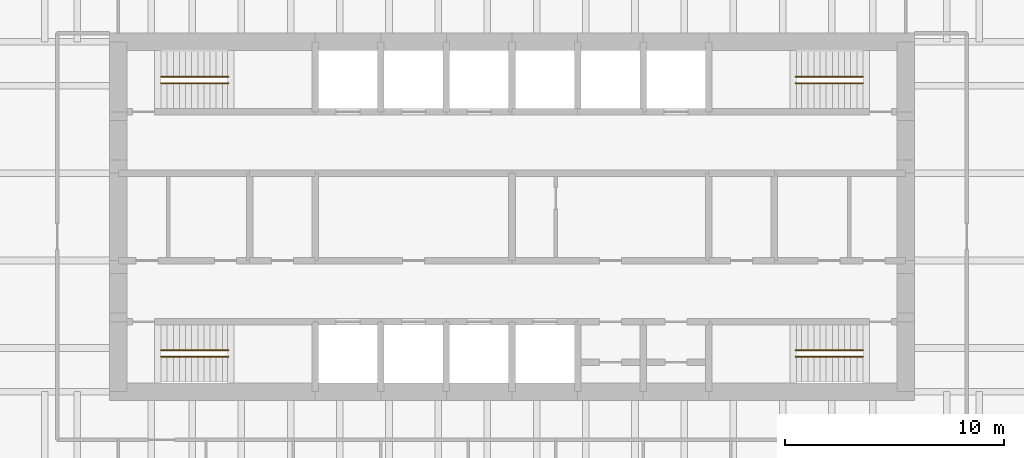
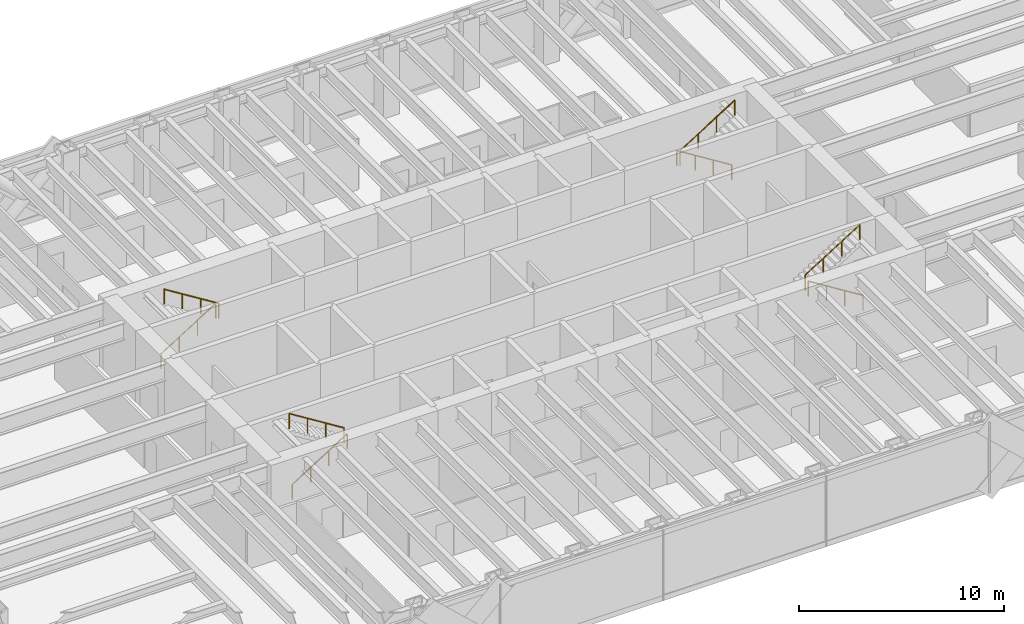
# One storey, part 15 of 15: 8 railings.
"""IFC4 building model written with IfcOpenShell, lengths in metres."""

from ifc_helpers import new_model, si_unit, direction, frame, origin, origin_2d, place, context, subcontext, project, spatial, circle, extrude, material, type_object, element, save


model = new_model("IFC4")

# Units and contexts
model_context = context("Model", 3, precision=1e-05, world=origin(), true_north=direction((0.0, 1.0)))
body_context = subcontext(model_context, "Body", "Model", "MODEL_VIEW")
ifc_project = project(units=[si_unit("LENGTHUNIT", "METRE"), si_unit("AREAUNIT", "SQUARE_METRE"), si_unit("VOLUMEUNIT", "CUBIC_METRE"), si_unit("PLANEANGLEUNIT", "RADIAN"), si_unit("MASSUNIT", "GRAM", prefix="KILO")], contexts=[model_context])

# Site, building, storey
site_placement = place(None, origin())
site = spatial("IfcSite", under=ifc_project, at=site_placement, CompositionType="ELEMENT")
building_placement = place(site_placement, origin())
building = spatial("IfcBuilding", under=site, at=building_placement, Name="Rheinbord Bourse Tower", CompositionType="ELEMENT")
storey_placement = place(building_placement, frame((0.0, 0.0, 257.199951171875)))
storey = spatial("IfcBuildingStorey", under=building, at=storey_placement, Name="L58", CompositionType="ELEMENT", Elevation=257.199951171875)

# Railings
ifc_material = material(Name="Steel handrail", Category="steel")
railing_type = type_object("IfcRailingType", Name="HANDRAIL 900", PredefinedType="HANDRAIL", material=ifc_material)
railing_1_placement = place(storey_placement, frame((19.949951171875, 17.60009765625, 0.175048828125)))
element("IfcRailing", 1, at=railing_1_placement, inside=storey, type_object=railing_type, Name="Handrail", PredefinedType="HANDRAIL", context=body_context, shape_type="SweptSolid", body=[
    extrude(circle(Radius=0.02392578125, at=origin_2d()), frame((0.0, 0.0, 0.8759765625), z_axis=(0.847998304005, 0.0, 0.529998940003), x_axis=(0.0, 1.0, 0.0)), (0.0, 0.0, 1.0), 3.632080078125),
    extrude(circle(Radius=0.02099609375, at=origin_2d()), origin(), (0.0, 0.0, 1.0), 0.851806640625),
    extrude(circle(Radius=0.02099609375, at=origin_2d()), frame((1.026611328125, 0.0, 0.6416015625)), (0.0, 0.0, 1.0), 0.851806640625),
    extrude(circle(Radius=0.02099609375, at=origin_2d()), frame((2.053466796875, 0.0, 1.283447265625)), (0.0, 0.0, 1.0), 0.851806640625),
    extrude(circle(Radius=0.02099609375, at=origin_2d()), frame((3.080078125, 0.0, 1.925048828125)), (0.0, 0.0, 1.0), 0.851806640625),
])
railing_2_placement = place(storey_placement, frame((23.030029296875, 17.89990234375, 2.275146484375)))
element("IfcRailing", 2, at=railing_2_placement, inside=storey, type_object=railing_type, Name="Handrail", PredefinedType="HANDRAIL", context=body_context, shape_type="SweptSolid", body=[
    extrude(circle(Radius=0.02392578125, at=origin_2d()), frame((0.0, 0.0, 0.8759765625), z_axis=(-0.848028513186, 0.0, 0.529950602248), x_axis=(0.0, -1.0, 0.0)), (0.0, 0.0, 1.0), 3.632080078125),
    extrude(circle(Radius=0.02099609375, at=origin_2d()), origin(), (0.0, 0.0, 1.0), 0.851806640625),
    extrude(circle(Radius=0.02099609375, at=origin_2d()), frame((-1.026611328125, 0.0, 0.6416015625)), (0.0, 0.0, 1.0), 0.851806640625),
    extrude(circle(Radius=0.02099609375, at=origin_2d()), frame((-2.053466796875, 0.0, 1.283203125)), (0.0, 0.0, 1.0), 0.851806640625),
    extrude(circle(Radius=0.02099609375, at=origin_2d()), frame((-3.080078125, 0.0, 1.9248046875)), (0.0, 0.0, 1.0), 0.851806640625),
])
railing_3_placement = place(storey_placement, frame((19.949951171875, 30.39990234375, 0.175048828125)))
element("IfcRailing", 3, at=railing_3_placement, inside=storey, type_object=railing_type, Name="Handrail", PredefinedType="HANDRAIL", context=body_context, shape_type="SweptSolid", body=[
    extrude(circle(Radius=0.02392578125, at=origin_2d()), frame((0.0, 0.0, 0.8759765625), z_axis=(0.847998304005, 0.0, 0.529998940003), x_axis=(0.0, 1.0, 0.0)), (0.0, 0.0, 1.0), 3.632080078125),
    extrude(circle(Radius=0.02099609375, at=origin_2d()), origin(), (0.0, 0.0, 1.0), 0.851806640625),
    extrude(circle(Radius=0.02099609375, at=origin_2d()), frame((1.026611328125, 0.0, 0.6416015625)), (0.0, 0.0, 1.0), 0.851806640625),
    extrude(circle(Radius=0.02099609375, at=origin_2d()), frame((2.053466796875, 0.0, 1.283447265625)), (0.0, 0.0, 1.0), 0.851806640625),
    extrude(circle(Radius=0.02099609375, at=origin_2d()), frame((3.080078125, 0.0, 1.925048828125)), (0.0, 0.0, 1.0), 0.851806640625),
])
railing_4_placement = place(storey_placement, frame((23.030029296875, 30.10009765625, 2.275146484375)))
element("IfcRailing", 4, at=railing_4_placement, inside=storey, type_object=railing_type, Name="Handrail", PredefinedType="HANDRAIL", context=body_context, shape_type="SweptSolid", body=[
    extrude(circle(Radius=0.02392578125, at=origin_2d()), frame((0.0, 0.0, 0.8759765625), z_axis=(-0.848028513186, 0.0, 0.529950602248), x_axis=(0.0, -1.0, 0.0)), (0.0, 0.0, 1.0), 3.632080078125),
    extrude(circle(Radius=0.02099609375, at=origin_2d()), origin(), (0.0, 0.0, 1.0), 0.851806640625),
    extrude(circle(Radius=0.02099609375, at=origin_2d()), frame((-1.026611328125, 0.0, 0.6416015625)), (0.0, 0.0, 1.0), 0.851806640625),
    extrude(circle(Radius=0.02099609375, at=origin_2d()), frame((-2.053466796875, 0.0, 1.283203125)), (0.0, 0.0, 1.0), 0.851806640625),
    extrude(circle(Radius=0.02099609375, at=origin_2d()), frame((-3.080078125, 0.0, 1.9248046875)), (0.0, 0.0, 1.0), 0.851806640625),
])
railing_5_placement = place(storey_placement, frame((52.050048828125, 17.60009765625, 0.175048828125)))
element("IfcRailing", 5, at=railing_5_placement, inside=storey, type_object=railing_type, Name="Handrail", PredefinedType="HANDRAIL", context=body_context, shape_type="SweptSolid", body=[
    extrude(circle(Radius=0.02392578125, at=origin_2d()), frame((0.0, 0.0, 0.8759765625), z_axis=(-0.847998304005, 0.0, 0.529998940003), x_axis=(0.0, -1.0, 0.0)), (0.0, 0.0, 1.0), 3.632080078125),
    extrude(circle(Radius=0.02099609375, at=origin_2d()), origin(), (0.0, 0.0, 1.0), 0.851806640625),
    extrude(circle(Radius=0.02099609375, at=origin_2d()), frame((-1.026611328125, 0.0, 0.6416015625)), (0.0, 0.0, 1.0), 0.851806640625),
    extrude(circle(Radius=0.02099609375, at=origin_2d()), frame((-2.053466796875, 0.0, 1.283447265625)), (0.0, 0.0, 1.0), 0.851806640625),
    extrude(circle(Radius=0.02099609375, at=origin_2d()), frame((-3.080078125, 0.0, 1.925048828125)), (0.0, 0.0, 1.0), 0.851806640625),
])
railing_6_placement = place(storey_placement, frame((48.969970703125, 17.89990234375, 2.275146484375)))
element("IfcRailing", 6, at=railing_6_placement, inside=storey, type_object=railing_type, Name="Handrail", PredefinedType="HANDRAIL", context=body_context, shape_type="SweptSolid", body=[
    extrude(circle(Radius=0.02392578125, at=origin_2d()), frame((0.0, 0.0, 0.8759765625), z_axis=(0.848028513186, 0.0, 0.529950602248), x_axis=(0.0, 1.0, 0.0)), (0.0, 0.0, 1.0), 3.632080078125),
    extrude(circle(Radius=0.02099609375, at=origin_2d()), origin(), (0.0, 0.0, 1.0), 0.851806640625),
    extrude(circle(Radius=0.02099609375, at=origin_2d()), frame((1.026611328125, 0.0, 0.6416015625)), (0.0, 0.0, 1.0), 0.851806640625),
    extrude(circle(Radius=0.02099609375, at=origin_2d()), frame((2.053466796875, 0.0, 1.283203125)), (0.0, 0.0, 1.0), 0.851806640625),
    extrude(circle(Radius=0.02099609375, at=origin_2d()), frame((3.080078125, 0.0, 1.9248046875)), (0.0, 0.0, 1.0), 0.851806640625),
])
railing_7_placement = place(storey_placement, frame((52.050048828125, 30.39990234375, 0.175048828125)))
element("IfcRailing", 7, at=railing_7_placement, inside=storey, type_object=railing_type, Name="Handrail", PredefinedType="HANDRAIL", context=body_context, shape_type="SweptSolid", body=[
    extrude(circle(Radius=0.02392578125, at=origin_2d()), frame((0.0, 0.0, 0.8759765625), z_axis=(-0.847998304005, 0.0, 0.529998940003), x_axis=(0.0, -1.0, 0.0)), (0.0, 0.0, 1.0), 3.632080078125),
    extrude(circle(Radius=0.02099609375, at=origin_2d()), origin(), (0.0, 0.0, 1.0), 0.851806640625),
    extrude(circle(Radius=0.02099609375, at=origin_2d()), frame((-1.026611328125, 0.0, 0.6416015625)), (0.0, 0.0, 1.0), 0.851806640625),
    extrude(circle(Radius=0.02099609375, at=origin_2d()), frame((-2.053466796875, 0.0, 1.283447265625)), (0.0, 0.0, 1.0), 0.851806640625),
    extrude(circle(Radius=0.02099609375, at=origin_2d()), frame((-3.080078125, 0.0, 1.925048828125)), (0.0, 0.0, 1.0), 0.851806640625),
])
railing_8_placement = place(storey_placement, frame((48.969970703125, 30.10009765625, 2.275146484375)))
element("IfcRailing", 8, at=railing_8_placement, inside=storey, type_object=railing_type, Name="Handrail", PredefinedType="HANDRAIL", context=body_context, shape_type="SweptSolid", body=[
    extrude(circle(Radius=0.02392578125, at=origin_2d()), frame((0.0, 0.0, 0.8759765625), z_axis=(0.848028513186, 0.0, 0.529950602248), x_axis=(0.0, 1.0, 0.0)), (0.0, 0.0, 1.0), 3.632080078125),
    extrude(circle(Radius=0.02099609375, at=origin_2d()), origin(), (0.0, 0.0, 1.0), 0.851806640625),
    extrude(circle(Radius=0.02099609375, at=origin_2d()), frame((1.026611328125, 0.0, 0.6416015625)), (0.0, 0.0, 1.0), 0.851806640625),
    extrude(circle(Radius=0.02099609375, at=origin_2d()), frame((2.053466796875, 0.0, 1.283203125)), (0.0, 0.0, 1.0), 0.851806640625),
    extrude(circle(Radius=0.02099609375, at=origin_2d()), frame((3.080078125, 0.0, 1.9248046875)), (0.0, 0.0, 1.0), 0.851806640625),
])

save(model, "model.ifc")
